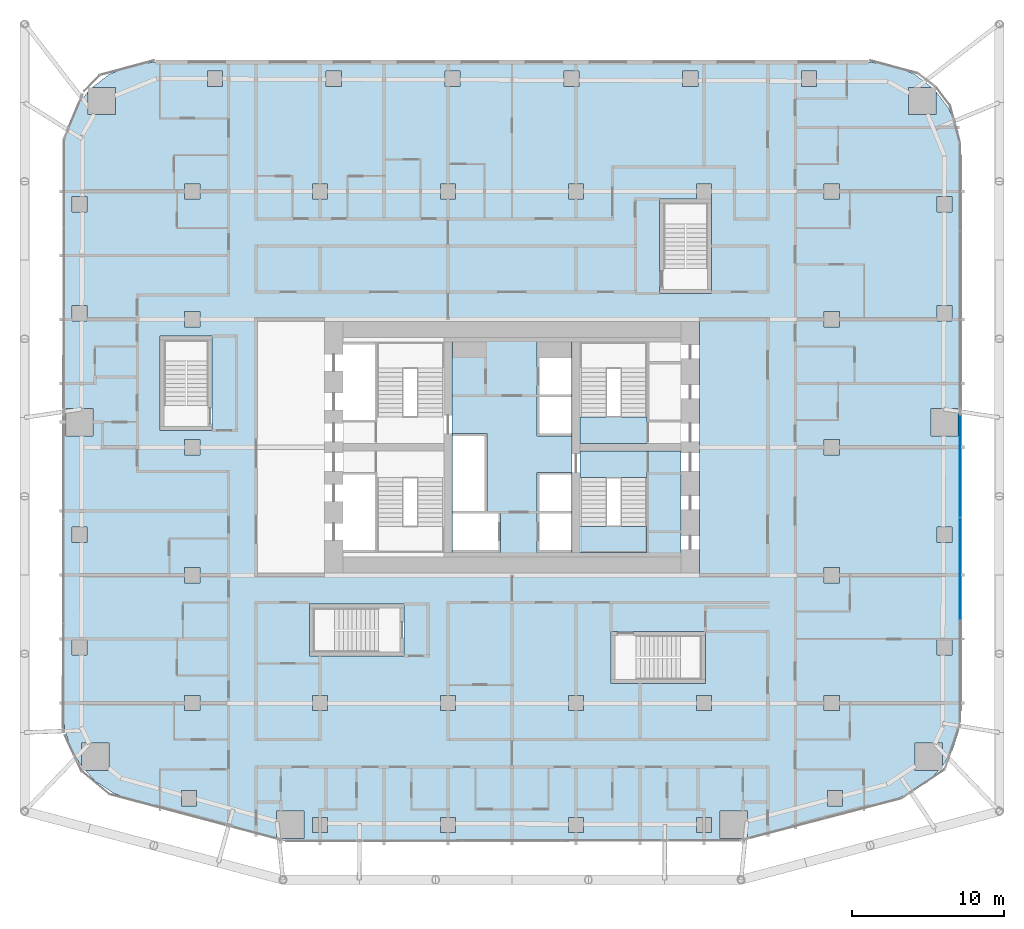
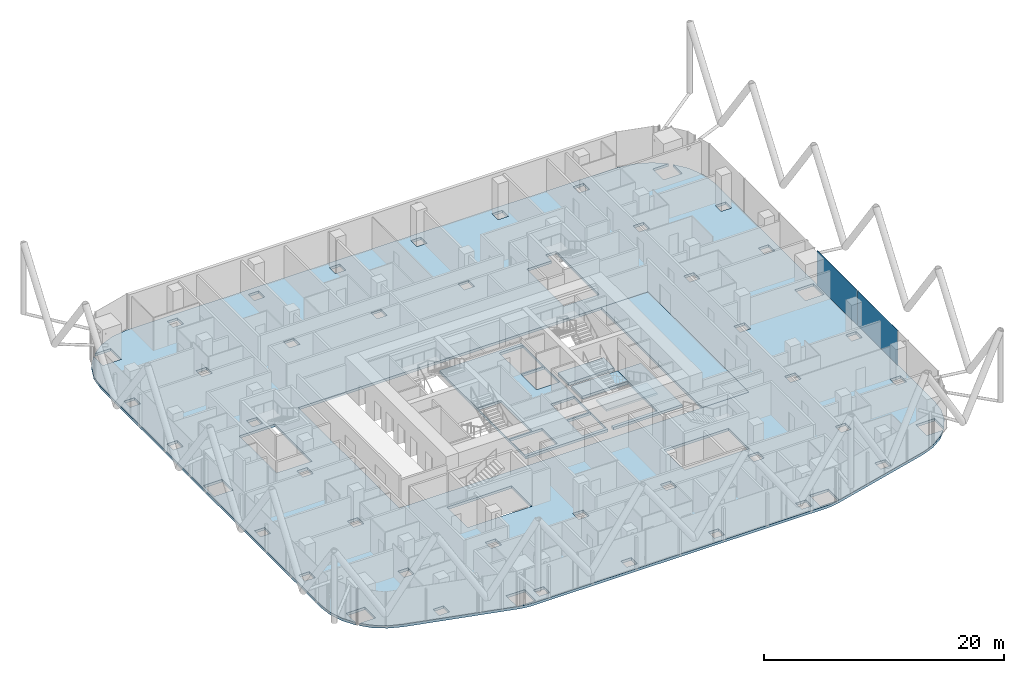
# One storey, part 23 of 38: 7 slabs, 2 plates, 2 elements without a shape of their own.
"""IFC4 building model written with IfcOpenShell, lengths in metres."""

from ifc_helpers import new_model, si_unit, direction, frame, origin, origin_2d, place, context, subcontext, project, spatial, polyline, rectangle, outline, extrude, material, layer, layer_set, type_object, element, aggregate, save


model = new_model("IFC4")

# Units and contexts
model_context = context("Model", 3, precision=1e-05, world=origin(), true_north=direction((0.0, 1.0)))
body_context = subcontext(model_context, "Body", "Model", "MODEL_VIEW")
ifc_project = project(units=[si_unit("LENGTHUNIT", "METRE"), si_unit("AREAUNIT", "SQUARE_METRE"), si_unit("VOLUMEUNIT", "CUBIC_METRE"), si_unit("PLANEANGLEUNIT", "RADIAN"), si_unit("MASSUNIT", "GRAM", prefix="KILO")], contexts=[model_context])

# Site, building, storey
site_placement = place(None, origin())
site = spatial("IfcSite", under=ifc_project, at=site_placement, CompositionType="ELEMENT")
building_placement = place(site_placement, origin())
building = spatial("IfcBuilding", under=site, at=building_placement, Name="Marenta Gate Hotel Tower", CompositionType="ELEMENT")
storey_placement = place(building_placement, frame((0.0, 0.0, 40.10009765625)))
storey = spatial("IfcBuildingStorey", under=building, at=storey_placement, Name="L07", CompositionType="ELEMENT", Elevation=40.10009765625)

# Slabs
ifc_material_1 = material(Name="Concrete C35", Category="concrete")
ifc_layer_1 = layer(ifc_material_1, 0.260009765625)
ifc_layer_set_1 = layer_set([ifc_layer_1], Name="Concrete C35")
slab_type_1 = type_object("IfcSlabType", Name="Concrete floor slab 260", PredefinedType="FLOOR", material=ifc_layer_set_1)
slab_1_placement = place(storey_placement, frame((0.0, 0.0, -0.260009765625)))
element("IfcSlab", 1, at=slab_1_placement, inside=storey, type_object=slab_type_1, Name="L07-SL-1", PredefinedType="FLOOR", context=body_context, shape_type="SweptSolid", body=[
    extrude(outline(polyline([(-27.313720703125, -13.56396484375), (-28.015625, -12.8330078125), (-26.462890625, -12.8330078125), (-26.462890625, -11.032958984375), (-28.262939453125, -11.032958984375), (-28.262939453125, -12.55859375), (-28.927001953125, -11.467041015625), (-29.35546875, -10.20703125), (-29.5, -8.889892578125), (-29.5, 27.6064453125), (-29.29296875, 29.178955078125), (-28.68359375, 30.650390625), (-27.83544921875, 31.755615234375), (-27.83544921875, 30.235595703125), (-26.035400390625, 30.235595703125), (-26.035400390625, 32.035400390625), (-27.555419921875, 32.035400390625), (-26.450439453125, 32.883544921875), (-24.97900390625, 33.492919921875), (-23.406494140625, 33.699951171875), (23.406494140625, 33.699951171875), (24.97900390625, 33.492919921875), (26.450439453125, 32.883544921875), (27.555419921875, 32.035400390625), (26.035400390625, 32.035400390625), (26.035400390625, 30.235595703125), (27.83544921875, 30.235595703125), (27.83544921875, 31.755615234375), (28.68359375, 30.650390625), (29.29296875, 29.178955078125), (29.5, 27.6064453125), (29.5, -8.889892578125), (29.35546875, -10.20703125), (28.927001953125, -11.467041015625), (28.262939453125, -12.55859375), (28.262939453125, -11.032958984375), (26.462890625, -11.032958984375), (26.462890625, -12.8330078125), (28.015625, -12.8330078125), (27.313720703125, -13.56396484375), (26.205810546875, -14.30126953125), (24.969482421875, -14.77880859375), (15.2265625, -17.36376953125), (14.70849609375, -17.4658203125), (14.181640625, -17.5), (-14.181640625, -17.5), (-14.70849609375, -17.4658203125), (-15.2265625, -17.36376953125), (-24.969482421875, -14.77880859375), (-26.205810546875, -14.30126953125), (-27.313720703125, -13.56396484375)]), holes=[polyline([(-16.800048828125, 0.0), (16.800048828125, 0.0), (16.800048828125, 16.800048828125), (-16.800048828125, 16.800048828125), (-16.800048828125, 0.0)]), polyline([(-13.666259765625, -15.474853515625), (-15.46630859375, -15.474853515625), (-15.46630859375, -17.27490234375), (-13.666259765625, -17.27490234375), (-13.666259765625, -15.474853515625)]), polyline([(-20.706787109375, -14.13916015625), (-21.706787109375, -14.13916015625), (-21.706787109375, -15.13916015625), (-20.706787109375, -15.13916015625), (-20.706787109375, -14.13916015625)]), polyline([(-20.5, -8.89990234375), (-20.5, -7.89990234375), (-21.5, -7.89990234375), (-21.5, -8.89990234375), (-20.5, -8.89990234375)]), polyline([(-12.10009765625, -8.89990234375), (-12.10009765625, -7.89990234375), (-13.10009765625, -7.89990234375), (-13.10009765625, -8.89990234375), (-12.10009765625, -8.89990234375)]), polyline([(-27.89990234375, -4.251953125), (-28.89990234375, -4.251953125), (-28.89990234375, -5.251953125), (-27.89990234375, -5.251953125), (-27.89990234375, -4.251953125)]), polyline([(-20.5, -0.5), (-20.5, 0.5), (-21.5, 0.5), (-21.5, -0.5), (-20.5, -0.5)]), polyline([(-27.89990234375, 2.149169921875), (-27.89990234375, 3.149169921875), (-28.89990234375, 3.149169921875), (-28.89990234375, 2.149169921875), (-27.89990234375, 2.149169921875)]), polyline([(-20.5, 8.89990234375), (-21.5, 8.89990234375), (-21.5, 7.89990234375), (-20.5, 7.89990234375), (-20.5, 8.89990234375)]), polyline([(-27.5, 9.14990234375), (-27.5, 10.949951171875), (-29.300048828125, 10.949951171875), (-29.300048828125, 9.14990234375), (-27.5, 9.14990234375)]), polyline([(-20.5, 16.300048828125), (-20.5, 17.300048828125), (-21.5, 17.300048828125), (-21.5, 16.300048828125), (-20.5, 16.300048828125)]), polyline([(-27.89990234375, 17.703125), (-28.89990234375, 17.703125), (-28.89990234375, 16.703125), (-27.89990234375, 16.703125), (-27.89990234375, 17.703125)]), polyline([(-27.89990234375, 23.8564453125), (-27.89990234375, 24.8564453125), (-28.89990234375, 24.8564453125), (-28.89990234375, 23.8564453125), (-27.89990234375, 23.8564453125)]), polyline([(-20.5, 24.699951171875), (-20.5, 25.699951171875), (-21.5, 25.699951171875), (-21.5, 24.699951171875), (-20.5, 24.699951171875)]), polyline([(-19.0068359375, 32.10009765625), (-19.0068359375, 33.10009765625), (-20.0068359375, 33.10009765625), (-20.0068359375, 32.10009765625), (-19.0068359375, 32.10009765625)]), polyline([(-12.10009765625, -16.89990234375), (-12.10009765625, -15.89990234375), (-13.10009765625, -15.89990234375), (-13.10009765625, -16.89990234375), (-12.10009765625, -16.89990234375)]), polyline([(-3.699951171875, -15.89990234375), (-4.699951171875, -15.89990234375), (-4.699951171875, -16.89990234375), (-3.699951171875, -16.89990234375), (-3.699951171875, -15.89990234375)]), polyline([(4.699951171875, -16.89990234375), (4.699951171875, -15.89990234375), (3.699951171875, -15.89990234375), (3.699951171875, -16.89990234375), (4.699951171875, -16.89990234375)]), polyline([(13.10009765625, -16.89990234375), (13.10009765625, -15.89990234375), (12.10009765625, -15.89990234375), (12.10009765625, -16.89990234375), (13.10009765625, -16.89990234375)]), polyline([(15.46630859375, -15.474853515625), (13.666259765625, -15.474853515625), (13.666259765625, -17.27490234375), (15.46630859375, -17.27490234375), (15.46630859375, -15.474853515625)]), polyline([(-3.699951171875, -8.89990234375), (-3.699951171875, -7.89990234375), (-4.699951171875, -7.89990234375), (-4.699951171875, -8.89990234375), (-3.699951171875, -8.89990234375)]), polyline([(4.699951171875, -8.89990234375), (4.699951171875, -7.89990234375), (3.699951171875, -7.89990234375), (3.699951171875, -8.89990234375), (4.699951171875, -8.89990234375)]), polyline([(13.10009765625, -7.89990234375), (12.10009765625, -7.89990234375), (12.10009765625, -8.89990234375), (13.10009765625, -8.89990234375), (13.10009765625, -7.89990234375)]), polyline([(-12.10009765625, 25.699951171875), (-13.10009765625, 25.699951171875), (-13.10009765625, 24.699951171875), (-12.10009765625, 24.699951171875), (-12.10009765625, 25.699951171875)]), polyline([(-3.699951171875, 25.699951171875), (-4.699951171875, 25.699951171875), (-4.699951171875, 24.699951171875), (-3.699951171875, 24.699951171875), (-3.699951171875, 25.699951171875)]), polyline([(4.699951171875, 24.699951171875), (4.699951171875, 25.699951171875), (3.699951171875, 25.699951171875), (3.699951171875, 24.699951171875), (4.699951171875, 24.699951171875)]), polyline([(13.10009765625, 25.699951171875), (12.10009765625, 25.699951171875), (12.10009765625, 24.699951171875), (9.699951171875, 24.699951171875), (9.699951171875, 18.5), (13.10009765625, 18.5), (13.10009765625, 25.699951171875)]), polyline([(-11.2041015625, 33.10009765625), (-12.2041015625, 33.10009765625), (-12.2041015625, 32.10009765625), (-11.2041015625, 32.10009765625), (-11.2041015625, 33.10009765625)]), polyline([(-3.4013671875, 32.10009765625), (-3.4013671875, 33.10009765625), (-4.4013671875, 33.10009765625), (-4.4013671875, 32.10009765625), (-3.4013671875, 32.10009765625)]), polyline([(4.4013671875, 32.10009765625), (4.4013671875, 33.10009765625), (3.4013671875, 33.10009765625), (3.4013671875, 32.10009765625), (4.4013671875, 32.10009765625)]), polyline([(12.2041015625, 33.10009765625), (11.2041015625, 33.10009765625), (11.2041015625, 32.10009765625), (12.2041015625, 32.10009765625), (12.2041015625, 33.10009765625)]), polyline([(21.706787109375, -15.13916015625), (21.706787109375, -14.13916015625), (20.706787109375, -14.13916015625), (20.706787109375, -15.13916015625), (21.706787109375, -15.13916015625)]), polyline([(21.5, -7.89990234375), (20.5, -7.89990234375), (20.5, -8.89990234375), (21.5, -8.89990234375), (21.5, -7.89990234375)]), polyline([(28.89990234375, -5.251953125), (28.89990234375, -4.251953125), (27.89990234375, -4.251953125), (27.89990234375, -5.251953125), (28.89990234375, -5.251953125)]), polyline([(21.5, -0.5), (21.5, 0.5), (20.5, 0.5), (20.5, -0.5), (21.5, -0.5)]), polyline([(28.89990234375, 3.149169921875), (27.89990234375, 3.149169921875), (27.89990234375, 2.149169921875), (28.89990234375, 2.149169921875), (28.89990234375, 3.149169921875)]), polyline([(21.5, 7.89990234375), (21.5, 8.89990234375), (20.5, 8.89990234375), (20.5, 7.89990234375), (21.5, 7.89990234375)]), polyline([(29.300048828125, 9.14990234375), (29.300048828125, 10.949951171875), (27.5, 10.949951171875), (27.5, 9.14990234375), (29.300048828125, 9.14990234375)]), polyline([(21.5, 17.300048828125), (20.5, 17.300048828125), (20.5, 16.300048828125), (21.5, 16.300048828125), (21.5, 17.300048828125)]), polyline([(28.89990234375, 16.703125), (28.89990234375, 17.703125), (27.89990234375, 17.703125), (27.89990234375, 16.703125), (28.89990234375, 16.703125)]), polyline([(28.89990234375, 23.8564453125), (28.89990234375, 24.8564453125), (27.89990234375, 24.8564453125), (27.89990234375, 23.8564453125), (28.89990234375, 23.8564453125)]), polyline([(21.5, 25.699951171875), (20.5, 25.699951171875), (20.5, 24.699951171875), (21.5, 24.699951171875), (21.5, 25.699951171875)]), polyline([(20.0068359375, 32.10009765625), (20.0068359375, 33.10009765625), (19.0068359375, 33.10009765625), (19.0068359375, 32.10009765625), (20.0068359375, 32.10009765625)]), polyline([(6.5, -7.10009765625), (12.699951171875, -7.10009765625), (12.699951171875, -3.699951171875), (6.5, -3.699951171875), (6.5, -7.10009765625)]), polyline([(-13.300048828125, -5.300048828125), (-7.10009765625, -5.300048828125), (-7.10009765625, -1.89990234375), (-13.300048828125, -1.89990234375), (-13.300048828125, -5.300048828125)]), polyline([(-23.10009765625, 9.5), (-19.699951171875, 9.5), (-19.699951171875, 15.699951171875), (-23.10009765625, 15.699951171875), (-23.10009765625, 9.5)])]), origin(), (0.0, 0.0, 1.0), 0.260009765625),
])
ifc_material_2 = material(Name="Concrete C40", Category="concrete")
ifc_layer_2 = layer(ifc_material_2, 0.260009765625)
ifc_layer_set_2 = layer_set([ifc_layer_2], Name="Concrete C40")
slab_type_2 = type_object("IfcSlabType", Name="Core floor slab 260", PredefinedType="FLOOR", material=ifc_layer_set_2)
slab_2_placement = place(storey_placement, frame((0.0, 0.0, -0.260009765625)))
element("IfcSlab", 2, at=slab_2_placement, inside=storey, type_object=slab_type_2, Name="L07-CF-1", PredefinedType="FLOOR", context=body_context, shape_type="SweptSolid", body=[
    extrude(outline(polyline([(12.300048828125, 0.0), (12.300048828125, 16.800048828125), (16.800048828125, 16.800048828125), (16.800048828125, 0.0), (12.300048828125, 0.0)])), origin(), (0.0, 0.0, 1.0), 0.260009765625),
])
slab_3_placement = place(storey_placement, frame((0.0, 0.0, -0.260009765625)))
element("IfcSlab", 3, at=slab_3_placement, inside=storey, type_object=slab_type_2, Name="L07-CF-2", PredefinedType="FLOOR", context=body_context, shape_type="SweptSolid", body=[
    extrude(outline(polyline([(8.85009765625, 1.5), (8.85009765625, 6.39990234375), (8.85009765625, 8.10009765625), (8.85009765625, 8.14990234375), (11.10009765625, 8.14990234375), (11.10009765625, 1.199951171875), (4.449951171875, 1.199951171875), (4.449951171875, 1.5), (8.85009765625, 1.5)])), origin(), (0.0, 0.0, 1.0), 0.260009765625),
])
slab_4_placement = place(storey_placement, frame((0.0, 0.0, -0.260009765625)))
element("IfcSlab", 4, at=slab_4_placement, inside=storey, type_object=slab_type_2, Name="L07-CF-4", PredefinedType="FLOOR", context=body_context, shape_type="SweptSolid", body=[
    extrude(outline(polyline([(3.949951171875, 15.300048828125), (3.949951171875, 10.39990234375), (3.949951171875, 6.39990234375), (3.949951171875, 1.5), (3.949951171875, 1.199951171875), (-3.949951171875, 1.199951171875), (-3.949951171875, 1.5), (-3.949951171875, 6.39990234375), (-3.949951171875, 10.39990234375), (-3.949951171875, 15.300048828125), (-3.949951171875, 15.60009765625), (3.949951171875, 15.60009765625), (3.949951171875, 15.300048828125)]), holes=[polyline([(1.64990234375, 4.050048828125), (1.64990234375, 1.64990234375), (1.64990234375, 1.5), (3.89990234375, 1.5), (3.89990234375, 1.64990234375), (3.89990234375, 4.050048828125), (1.800048828125, 4.050048828125), (1.64990234375, 4.050048828125)]), polyline([(1.64990234375, 9.14990234375), (3.89990234375, 9.14990234375), (3.89990234375, 9.300048828125), (3.89990234375, 11.699951171875), (1.800048828125, 11.699951171875), (1.64990234375, 11.699951171875), (1.64990234375, 9.300048828125), (1.64990234375, 9.14990234375)]), polyline([(1.64990234375, 11.85009765625), (1.800048828125, 11.85009765625), (3.89990234375, 11.85009765625), (3.89990234375, 14.25), (3.89990234375, 15.300048828125), (1.64990234375, 15.300048828125), (1.64990234375, 14.25), (1.64990234375, 11.85009765625)]), polyline([(3.89990234375, 6.60009765625), (3.89990234375, 6.75), (1.64990234375, 6.75), (1.64990234375, 6.60009765625), (1.64990234375, 4.199951171875), (1.800048828125, 4.199951171875), (3.89990234375, 4.199951171875), (3.89990234375, 6.60009765625)]), polyline([(-3.89990234375, 1.5), (-0.89990234375, 1.5), (-0.75, 1.5), (-0.75, 4.050048828125), (-0.89990234375, 4.050048828125), (-3.89990234375, 4.050048828125), (-3.89990234375, 1.64990234375), (-3.89990234375, 1.5)]), polyline([(-1.64990234375, 4.199951171875), (-1.64990234375, 9.14990234375), (-1.64990234375, 9.300048828125), (-3.89990234375, 9.300048828125), (-3.89990234375, 9.14990234375), (-3.89990234375, 6.75), (-3.89990234375, 6.60009765625), (-3.89990234375, 4.199951171875), (-1.800048828125, 4.199951171875), (-1.64990234375, 4.199951171875)])]), origin(), (0.0, 0.0, 1.0), 0.260009765625),
])

# Stair, slab
ifc_material_3 = material(Name="Concrete C40", Category="concrete")
stair_type = type_object("IfcStairType", Name="Core exit stair 1700 wide", PredefinedType="HALF_TURN_STAIR", material=ifc_material_3)
stair_placement = place(storey_placement, origin())
stair = element("IfcStair", 5, at=stair_placement, inside=storey, type_object=stair_type, Name="Exit stair 3", PredefinedType="HALF_TURN_STAIR")
ifc_material_4 = material(Name="Concrete C40", Category="concrete")
ifc_layer_3 = layer(ifc_material_4, 0.199951171875)
ifc_layer_set_3 = layer_set([ifc_layer_3], Name="Concrete C40")
slab_type_3 = type_object("IfcSlabType", Name="Core stair landing 200", PredefinedType="LANDING", material=ifc_layer_set_3)
slab_5_placement = place(storey_placement, frame((0.0, 0.0, 1.599853515625)))
slab_5 = element("IfcSlab", 6, at=slab_5_placement, type_object=slab_type_3, Name="SL-200 ST3 landing 1", PredefinedType="LANDING", context=body_context, shape_type="SweptSolid", body=[
    extrude(outline(polyline([(3.949951171875, 1.5), (8.85009765625, 1.5), (8.85009765625, 3.2099609375), (3.949951171875, 3.2099609375), (3.949951171875, 1.5)])), origin(), (0.0, 0.0, 1.0), 0.199951171875),
])
aggregate(stair, [slab_5])

# Curtain wall, plates
ifc_material_5 = material(Name="Tinted insulated glass in bronze anodised frame", Category="glass")
ifc_layer_4 = layer(ifc_material_5, 0.1201171875)
ifc_layer_set_4 = layer_set([ifc_layer_4], Name="Tinted insulated glass in bronze anodised frame")
curtain_wall_type = type_object("IfcCurtainWallType", Name="Tower unitised curtain wall CW1", PredefinedType="NOTDEFINED", material=ifc_layer_set_4)
curtain_wall_placement = place(storey_placement, origin())
curtain_wall = element("IfcCurtainWall", 7, at=curtain_wall_placement, inside=storey, type_object=curtain_wall_type, Name="CW1 run G32", PredefinedType="NOTDEFINED")
ifc_material_6 = material(Name="Tinted insulated glass", Category="glass")
ifc_layer_5 = layer(ifc_material_6, 0.028076171875)
ifc_layer_set_5 = layer_set([ifc_layer_5], Name="Tinted insulated glass")
plate_type = type_object("IfcPlateType", Name="Glass panel CW1 28 mm tinted insulated unit", PredefinedType="CURTAIN_PANEL", material=ifc_layer_set_5)
plate_1_placement = place(storey_placement, frame((29.4140625, 0.421142578125, 0.059814453125), z_axis=(0.0, 0.0, 1.0), x_axis=(0.0, 1.0, 0.0)))
plate_1 = element("IfcPlate", 8, at=plate_1_placement, type_object=plate_type, Name="CW1 panel 2.1", PredefinedType="CURTAIN_PANEL", context=body_context, shape_type="SweptSolid", body=[
    extrude(rectangle(XDim=6.670654296875, YDim=0.028076171875, at=origin_2d()), origin(), (0.0, 0.0, 1.0), 3.5400390625),
])
plate_2_placement = place(storey_placement, frame((29.4140625, 7.166748046875, 0.059814453125), z_axis=(0.0, 0.0, 1.0), x_axis=(0.0, 1.0, 0.0)))
plate_2 = element("IfcPlate", 9, at=plate_2_placement, type_object=plate_type, Name="CW1 panel 3.1", PredefinedType="CURTAIN_PANEL", context=body_context, shape_type="SweptSolid", body=[
    extrude(rectangle(XDim=6.70068359375, YDim=0.028076171875, at=origin_2d()), origin(), (0.0, 0.0, 1.0), 3.5400390625),
])
aggregate(curtain_wall, [plate_1, plate_2])

# Slabs
ifc_material_7 = material(Name="Concrete C40", Category="concrete")
ifc_layer_6 = layer(ifc_material_7, 0.300048828125)
ifc_layer_set_6 = layer_set([ifc_layer_6], Name="Concrete C40")
slab_type_4 = type_object("IfcSlabType", Name="Stair floor landing slab 300", PredefinedType="FLOOR", material=ifc_layer_set_6)
slab_6_placement = place(storey_placement, frame((0.0, 0.0, -0.300048828125)))
element("IfcSlab", 10, at=slab_6_placement, inside=storey, type_object=slab_type_4, Name="L07-CL-ST3-1", PredefinedType="FLOOR", context=body_context, shape_type="SweptSolid", body=[
    extrude(outline(polyline([(4.449951171875, 6.39990234375), (4.449951171875, 8.14990234375), (8.85009765625, 8.14990234375), (8.85009765625, 8.10009765625), (8.85009765625, 6.39990234375), (4.449951171875, 6.39990234375)])), origin(), (0.0, 0.0, 1.0), 0.300048828125),
])
slab_7_placement = place(storey_placement, frame((0.0, 0.0, -0.300048828125)))
element("IfcSlab", 11, at=slab_7_placement, inside=storey, type_object=slab_type_4, Name="L07-CL-ST4-1", PredefinedType="FLOOR", context=body_context, shape_type="SweptSolid", body=[
    extrude(outline(polyline([(4.449951171875, 8.64990234375), (4.449951171875, 10.39990234375), (8.85009765625, 10.39990234375), (8.85009765625, 8.699951171875), (8.85009765625, 8.64990234375), (4.449951171875, 8.64990234375)])), origin(), (0.0, 0.0, 1.0), 0.300048828125),
])

save(model, "model.ifc")
